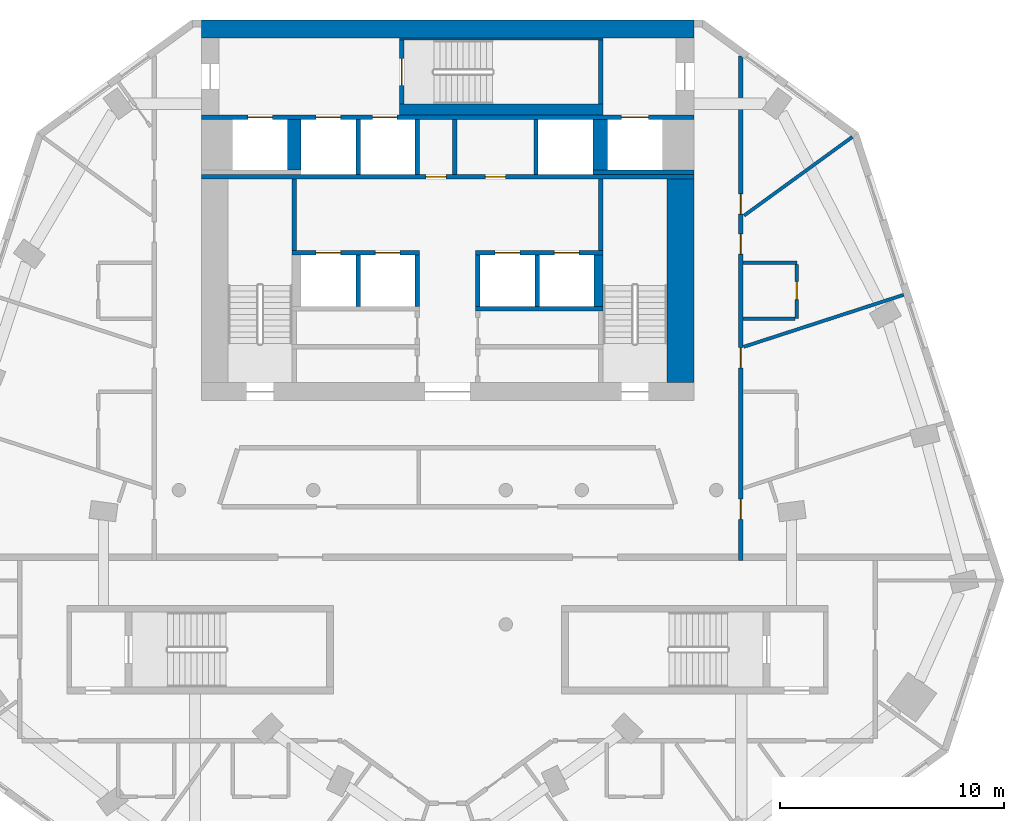
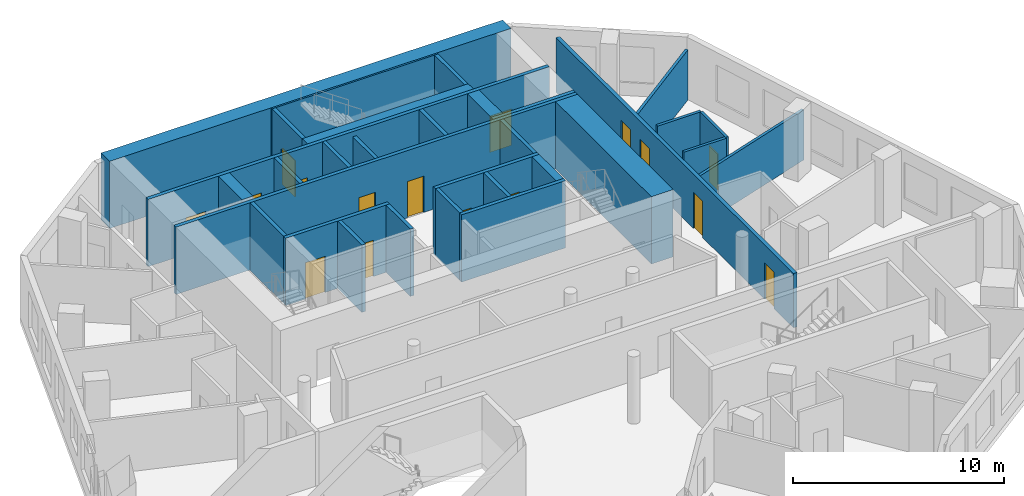
# One storey, part 6 of 9: 31 walls, 16 doors, 16 openings.
"""IFC4 building model written with IfcOpenShell, lengths in metres."""

from ifc_helpers import new_model, si_unit, direction, frame, frame_2d, origin, place, context, subcontext, project, spatial, rectangle, extrude, material, layer, layer_set, type_object, element, fill, save


model = new_model("IFC4")

# Units and contexts
model_context = context("Model", 3, precision=1e-05, world=origin(), true_north=direction((0.0, 1.0)))
body_context = subcontext(model_context, "Body", "Model", "MODEL_VIEW")
ifc_project = project(units=[si_unit("LENGTHUNIT", "METRE"), si_unit("AREAUNIT", "SQUARE_METRE"), si_unit("VOLUMEUNIT", "CUBIC_METRE"), si_unit("PLANEANGLEUNIT", "RADIAN"), si_unit("MASSUNIT", "GRAM", prefix="KILO")], contexts=[model_context])

# Site, building, storey
site_placement = place(None, origin())
site = spatial("IfcSite", under=ifc_project, at=site_placement, CompositionType="ELEMENT")
building_placement = place(site_placement, origin())
building = spatial("IfcBuilding", under=site, at=building_placement, Name="White Candle Pilgrim Tower", CompositionType="ELEMENT")
storey_placement = place(building_placement, frame((0.0, 0.0, 216.0)))
storey = spatial("IfcBuildingStorey", under=building, at=storey_placement, Name="L50", CompositionType="ELEMENT", Elevation=216.0)

# Wall
ifc_material_1 = material(Name="Concrete C50/60", Category="concrete")
ifc_layer_1 = layer(ifc_material_1, 0.199951171875)
ifc_layer_set_1 = layer_set([ifc_layer_1], Name="Core wall 200 mm Concrete C50/60")
wall_type_1 = type_object("IfcWallType", Name="Core wall 200 mm Concrete C50/60", PredefinedType="SHEAR", material=ifc_layer_set_1)
wall_1_placement = place(storey_placement, frame((76.5, 81.199951171875, 0.0), z_axis=(0.0, 0.0, 1.0), x_axis=(1.0, 0.0, 0.0)))
element("IfcWall", 1, at=wall_1_placement, inside=storey, type_object=wall_type_1, Name="WL-L50-C42", PredefinedType="SHEAR", context=body_context, shape_type="SweptSolid", body=[
    extrude(rectangle(XDim=4.5, YDim=0.199951171875, at=frame_2d((2.25, 0.0))), origin(), (0.0, 0.0, 1.0), 3.89990234375),
])

# Wall, openings, doors
wall_2_placement = place(storey_placement, frame((59.0, 83.64990234375, 0.0), z_axis=(0.0, 0.0, 1.0), x_axis=(1.0, 0.0, 0.0)))
wall_2 = element("IfcWall", 2, at=wall_2_placement, inside=storey, type_object=wall_type_1, Name="WL-L50-C47", PredefinedType="SHEAR", context=body_context, shape_type="SweptSolid", body=[
    extrude(rectangle(XDim=22.0, YDim=0.199951171875, at=frame_2d((11.0, 0.0))), origin(), (0.0, 0.0, 1.0), 3.89990234375),
])
opening_1_placement = place(wall_2_placement, frame((5.125, 0.0, 0.0)))
opening_1 = element("IfcOpeningElement", 3, at=opening_1_placement, cuts=wall_2, Name="Opening T15-019", PredefinedType="OPENING", context=body_context, shape_type="SweptSolid", body=[
    extrude(rectangle(XDim=1.10009765625, YDim=2.10009765625, at=frame_2d((0.550048828125, 1.050048828125))), frame((0.0, 0.10986328125, 0.0), z_axis=(0.0, -1.0, 0.0), x_axis=(1.0, 0.0, 0.0)), (0.0, 0.0, 1.0), 0.219970703125),
])
opening_2_placement = place(wall_2_placement, frame((7.64990234375, 0.0, 0.0)))
opening_2 = element("IfcOpeningElement", 4, at=opening_2_placement, cuts=wall_2, Name="Opening T15-020", PredefinedType="OPENING", context=body_context, shape_type="SweptSolid", body=[
    extrude(rectangle(XDim=1.10009765625, YDim=2.10009765625, at=frame_2d((0.550048828125, 1.050048828125))), frame((0.0, 0.10986328125, 0.0), z_axis=(0.0, -1.0, 0.0), x_axis=(1.0, 0.0, 0.0)), (0.0, 0.0, 1.0), 0.219970703125),
])
opening_3_placement = place(wall_2_placement, frame((18.77490234375, 0.0, 0.0)))
opening_3 = element("IfcOpeningElement", 5, at=opening_3_placement, cuts=wall_2, Name="Opening T15-021", PredefinedType="OPENING", context=body_context, shape_type="SweptSolid", body=[
    extrude(rectangle(XDim=1.199951171875, YDim=2.10009765625, at=frame_2d((0.60009765625, 1.050048828125))), frame((0.0, 0.10986328125, 0.0), z_axis=(0.0, -1.0, 0.0), x_axis=(1.0, 0.0, 0.0)), (0.0, 0.0, 1.0), 0.219970703125),
])
opening_4_placement = place(wall_2_placement, frame((2.074951171875, 0.0, 0.0)))
opening_4 = element("IfcOpeningElement", 6, at=opening_4_placement, cuts=wall_2, Name="Opening T15-022", PredefinedType="OPENING", context=body_context, shape_type="SweptSolid", body=[
    extrude(rectangle(XDim=1.10009765625, YDim=2.10009765625, at=frame_2d((0.550048828125, 1.050048828125))), frame((0.0, 0.10986328125, 0.0), z_axis=(0.0, -1.0, 0.0), x_axis=(1.0, 0.0, 0.0)), (0.0, 0.0, 1.0), 0.219970703125),
])
ifc_material_2 = material(Name="Stainless steel", Category="steel")
door_type_1 = type_object("IfcDoorType", Name="Lift landing door 1100 x 2100 EI 60", OperationType="DOUBLE_DOOR_SLIDING", PredefinedType="DOOR", material=ifc_material_2)
door_1_placement = place(opening_1_placement, origin())
door_1 = element("IfcDoor", 7, at=door_1_placement, inside=storey, type_object=door_type_1, Name="Door T15-019", OperationType="DOUBLE_DOOR_SLIDING", OverallHeight=2.10009765625, OverallWidth=1.10009765625, PredefinedType="DOOR", context=body_context, shape_type="SweptSolid", body=[
    extrude(rectangle(XDim=1.10009765625, YDim=2.10009765625, at=frame_2d((0.550048828125, 1.050048828125))), frame((0.0, 0.02490234375, 0.0), z_axis=(0.0, -1.0, 0.0), x_axis=(1.0, 0.0, 0.0)), (0.0, 0.0, 1.0), 0.050048828125),
])
fill(opening_1, door_1)
door_2_placement = place(opening_2_placement, origin())
door_2 = element("IfcDoor", 8, at=door_2_placement, inside=storey, type_object=door_type_1, Name="Door T15-020", OperationType="DOUBLE_DOOR_SLIDING", OverallHeight=2.10009765625, OverallWidth=1.10009765625, PredefinedType="DOOR", context=body_context, shape_type="SweptSolid", body=[
    extrude(rectangle(XDim=1.10009765625, YDim=2.10009765625, at=frame_2d((0.550048828125, 1.050048828125))), frame((0.0, 0.02490234375, 0.0), z_axis=(0.0, -1.0, 0.0), x_axis=(1.0, 0.0, 0.0)), (0.0, 0.0, 1.0), 0.050048828125),
])
fill(opening_2, door_2)
door_3_placement = place(opening_4_placement, origin())
door_3 = element("IfcDoor", 9, at=door_3_placement, inside=storey, type_object=door_type_1, Name="Door T15-022", OperationType="DOUBLE_DOOR_SLIDING", OverallHeight=2.10009765625, OverallWidth=1.10009765625, PredefinedType="DOOR", context=body_context, shape_type="SweptSolid", body=[
    extrude(rectangle(XDim=1.10009765625, YDim=2.10009765625, at=frame_2d((0.550048828125, 1.050048828125))), frame((0.0, 0.02490234375, 0.0), z_axis=(0.0, -1.0, 0.0), x_axis=(1.0, 0.0, 0.0)), (0.0, 0.0, 1.0), 0.050048828125),
])
fill(opening_4, door_3)
door_type_2 = type_object("IfcDoorType", Name="Lift landing door 1200 x 2100 E 60", OperationType="DOUBLE_DOOR_SLIDING", PredefinedType="DOOR", material=ifc_material_2)
door_4_placement = place(opening_3_placement, origin())
door_4 = element("IfcDoor", 10, at=door_4_placement, inside=storey, type_object=door_type_2, Name="Door T15-021", OperationType="DOUBLE_DOOR_SLIDING", OverallHeight=2.10009765625, OverallWidth=1.199951171875, PredefinedType="DOOR", context=body_context, shape_type="SweptSolid", body=[
    extrude(rectangle(XDim=1.199951171875, YDim=2.10009765625, at=frame_2d((0.60009765625, 1.050048828125))), frame((0.0, 0.02490234375, 0.0), z_axis=(0.0, -1.0, 0.0), x_axis=(1.0, 0.0, 0.0)), (0.0, 0.0, 1.0), 0.050048828125),
])
fill(opening_3, door_4)

# Wall
ifc_layer_2 = layer(ifc_material_1, 0.800048828125)
ifc_layer_set_2 = layer_set([ifc_layer_2], Name="Core wall 800 mm Concrete C50/60")
wall_type_2 = type_object("IfcWallType", Name="Core wall 800 mm Concrete C50/60", PredefinedType="SHEAR", material=ifc_layer_set_2)
wall_3_placement = place(storey_placement, frame((59.0, 87.60009765625, 0.0), z_axis=(0.0, 0.0, 1.0), x_axis=(1.0, 0.0, 0.0)))
element("IfcWall", 11, at=wall_3_placement, inside=storey, type_object=wall_type_2, Name="WL-L50-C54", PredefinedType="SHEAR", context=body_context, shape_type="SweptSolid", body=[
    extrude(rectangle(XDim=22.0, YDim=0.800048828125, at=frame_2d((11.0, 0.0))), origin(), (0.0, 0.0, 1.0), 3.89990234375),
])

# Wall, openings, doors
ifc_material_3 = material(Name="Gypsum board on steel studs", Category="steel")
ifc_layer_3 = layer(ifc_material_3, 0.199951171875)
ifc_layer_set_3 = layer_set([ifc_layer_3], Name="Corridor wall 200 mm EI 45")
wall_type_3 = type_object("IfcWallType", Name="Corridor wall 200 mm EI 45", PredefinedType="PARTITIONING", material=ifc_layer_set_3)
wall_4_placement = place(storey_placement, frame((83.10009765625, 86.396240234375, 0.0), z_axis=(0.0, 0.0, 1.0), x_axis=(0.0, -1.0, 0.0)))
wall_4 = element("IfcWall", 12, at=wall_4_placement, inside=storey, type_object=wall_type_3, Name="WL-L50-P003", PredefinedType="PARTITIONING", context=body_context, shape_type="SweptSolid", body=[
    extrude(rectangle(XDim=22.546142578125, YDim=0.199951171875, at=frame_2d((11.27294921875, 0.0))), origin(), (0.0, 0.0, 1.0), 3.14990234375),
])
opening_5_placement = place(wall_4_placement, frame((6.163818359375, 0.0, 0.0)))
opening_5 = element("IfcOpeningElement", 13, at=opening_5_placement, cuts=wall_4, Name="Opening T15-128", PredefinedType="OPENING", context=body_context, shape_type="SweptSolid", body=[
    extrude(rectangle(XDim=0.89990234375, YDim=2.10009765625, at=frame_2d((0.449951171875, 1.050048828125))), frame((0.0, 0.10986328125, 0.0), z_axis=(0.0, -1.0, 0.0), x_axis=(1.0, 0.0, 0.0)), (0.0, 0.0, 1.0), 0.219970703125),
])
opening_6_placement = place(wall_4_placement, frame((7.95947265625, 0.0, 0.0)))
opening_6 = element("IfcOpeningElement", 14, at=opening_6_placement, cuts=wall_4, Name="Opening T15-129", PredefinedType="OPENING", context=body_context, shape_type="SweptSolid", body=[
    extrude(rectangle(XDim=0.89990234375, YDim=2.10009765625, at=frame_2d((0.449951171875, 1.050048828125))), frame((0.0, 0.10986328125, 0.0), z_axis=(0.0, -1.0, 0.0), x_axis=(1.0, 0.0, 0.0)), (0.0, 0.0, 1.0), 0.219970703125),
])
opening_7_placement = place(wall_4_placement, frame((13.034423828125, 0.0, 0.0)))
opening_7 = element("IfcOpeningElement", 15, at=opening_7_placement, cuts=wall_4, Name="Opening T15-130", PredefinedType="OPENING", context=body_context, shape_type="SweptSolid", body=[
    extrude(rectangle(XDim=0.89990234375, YDim=2.10009765625, at=frame_2d((0.449951171875, 1.050048828125))), frame((0.0, 0.10986328125, 0.0), z_axis=(0.0, -1.0, 0.0), x_axis=(1.0, 0.0, 0.0)), (0.0, 0.0, 1.0), 0.219970703125),
])
opening_8_placement = place(wall_4_placement, frame((19.80126953125, 0.0, 0.0)))
opening_8 = element("IfcOpeningElement", 16, at=opening_8_placement, cuts=wall_4, Name="Opening T15-131", PredefinedType="OPENING", context=body_context, shape_type="SweptSolid", body=[
    extrude(rectangle(XDim=0.89990234375, YDim=2.10009765625, at=frame_2d((0.449951171875, 1.050048828125))), frame((0.0, 0.10986328125, 0.0), z_axis=(0.0, -1.0, 0.0), x_axis=(1.0, 0.0, 0.0)), (0.0, 0.0, 1.0), 0.219970703125),
])
ifc_material_4 = material(Name="Steel door leaf", Category="steel")
door_type_3 = type_object("IfcDoorType", Name="Fire door 900 x 2100 EI 30", OperationType="NOTDEFINED", PredefinedType="DOOR", material=ifc_material_4)
door_5_placement = place(opening_5_placement, origin())
door_5 = element("IfcDoor", 17, at=door_5_placement, inside=storey, type_object=door_type_3, Name="Door T15-128", OperationType="SINGLE_SWING_RIGHT", OverallHeight=2.10009765625, OverallWidth=0.89990234375, PredefinedType="DOOR", context=body_context, shape_type="SweptSolid", body=[
    extrude(rectangle(XDim=0.89990234375, YDim=2.10009765625, at=frame_2d((0.449951171875, 1.050048828125))), frame((0.0, 0.02490234375, 0.0), z_axis=(0.0, -1.0, 0.0), x_axis=(1.0, 0.0, 0.0)), (0.0, 0.0, 1.0), 0.050048828125),
])
fill(opening_5, door_5)
door_6_placement = place(opening_6_placement, origin())
door_6 = element("IfcDoor", 18, at=door_6_placement, inside=storey, type_object=door_type_3, Name="Door T15-129", OperationType="SINGLE_SWING_LEFT", OverallHeight=2.10009765625, OverallWidth=0.89990234375, PredefinedType="DOOR", context=body_context, shape_type="SweptSolid", body=[
    extrude(rectangle(XDim=0.89990234375, YDim=2.10009765625, at=frame_2d((0.449951171875, 1.050048828125))), frame((0.0, 0.02490234375, 0.0), z_axis=(0.0, -1.0, 0.0), x_axis=(1.0, 0.0, 0.0)), (0.0, 0.0, 1.0), 0.050048828125),
])
fill(opening_6, door_6)
door_7_placement = place(opening_7_placement, origin())
door_7 = element("IfcDoor", 19, at=door_7_placement, inside=storey, type_object=door_type_3, Name="Door T15-130", OperationType="SINGLE_SWING_RIGHT", OverallHeight=2.10009765625, OverallWidth=0.89990234375, PredefinedType="DOOR", context=body_context, shape_type="SweptSolid", body=[
    extrude(rectangle(XDim=0.89990234375, YDim=2.10009765625, at=frame_2d((0.449951171875, 1.050048828125))), frame((0.0, 0.02490234375, 0.0), z_axis=(0.0, -1.0, 0.0), x_axis=(1.0, 0.0, 0.0)), (0.0, 0.0, 1.0), 0.050048828125),
])
fill(opening_7, door_7)
door_8_placement = place(opening_8_placement, origin())
door_8 = element("IfcDoor", 20, at=door_8_placement, inside=storey, type_object=door_type_3, Name="Door T15-131", OperationType="SINGLE_SWING_LEFT", OverallHeight=2.10009765625, OverallWidth=0.89990234375, PredefinedType="DOOR", context=body_context, shape_type="SweptSolid", body=[
    extrude(rectangle(XDim=0.89990234375, YDim=2.10009765625, at=frame_2d((0.449951171875, 1.050048828125))), frame((0.0, 0.02490234375, 0.0), z_axis=(0.0, -1.0, 0.0), x_axis=(1.0, 0.0, 0.0)), (0.0, 0.0, 1.0), 0.050048828125),
])
fill(opening_8, door_8)

# Walls
ifc_layer_4 = layer(ifc_material_3, 0.199951171875)
ifc_layer_set_4 = layer_set([ifc_layer_4], Name="Lobby wall 200 mm EI 60")
wall_type_4 = type_object("IfcWallType", Name="Lobby wall 200 mm EI 60", PredefinedType="PARTITIONING", material=ifc_layer_set_4)
wall_5_placement = place(storey_placement, frame((70.320068359375, 81.10009765625, 0.0), z_axis=(0.0, 0.0, 1.0), x_axis=(0.0, 1.0, 0.0)))
element("IfcWall", 21, at=wall_5_placement, inside=storey, type_object=wall_type_4, Name="WL-L50-C40", PredefinedType="PARTITIONING", context=body_context, shape_type="SweptSolid", body=[
    extrude(rectangle(XDim=2.449951171875, YDim=0.199951171875, at=frame_2d((1.22509765625, 0.0))), origin(), (0.0, 0.0, 1.0), 3.60009765625),
])
ifc_layer_5 = layer(ifc_material_3, 0.14990234375)
ifc_layer_set_5 = layer_set([ifc_layer_5], Name="Partition 150 mm EI 60")
wall_type_5 = type_object("IfcWallType", Name="Partition 150 mm EI 60", PredefinedType="PARTITIONING", material=ifc_layer_set_5)
wall_6_placement = place(storey_placement, frame((88.08154296875, 82.77685546875, 0.0), z_axis=(0.0, 0.0, 1.0), x_axis=(-0.809011434577, -0.587792904622, 0.0)))
element("IfcWall", 22, at=wall_6_placement, inside=storey, type_object=wall_type_5, Name="WL-L50-P022", PredefinedType="PARTITIONING", context=body_context, shape_type="SweptSolid", body=[
    extrude(rectangle(XDim=5.9794921875, YDim=0.14990234375, at=frame_2d((2.98974609375, 0.0))), origin(), (0.0, 0.0, 1.0), 2.89990234375),
])
wall_7_placement = place(storey_placement, frame((90.37353515625, 75.723388671875, 0.0), z_axis=(0.0, 0.0, 1.0), x_axis=(-0.951049340024, -0.309039079794, 0.0)))
element("IfcWall", 23, at=wall_7_placement, inside=storey, type_object=wall_type_5, Name="WL-L50-P048", PredefinedType="PARTITIONING", context=body_context, shape_type="SweptSolid", body=[
    extrude(rectangle(XDim=7.518310546875, YDim=0.14990234375, at=frame_2d((3.75927734375, 0.0))), origin(), (0.0, 0.0, 1.0), 2.89990234375),
])
wall_8_placement = place(storey_placement, frame((83.199951171875, 77.159912109375, 0.0), z_axis=(0.0, 0.0, 1.0), x_axis=(1.0, 0.0, 0.0)))
element("IfcWall", 24, at=wall_8_placement, inside=storey, type_object=wall_type_5, Name="WL-L50-P051", PredefinedType="PARTITIONING", context=body_context, shape_type="SweptSolid", body=[
    extrude(rectangle(XDim=2.400146484375, YDim=0.14990234375, at=frame_2d((1.2001953125, 0.0))), origin(), (0.0, 0.0, 1.0), 3.60009765625),
])

# Wall, opening, door
wall_9_placement = place(storey_placement, frame((85.60009765625, 74.659912109375, 0.0), z_axis=(0.0, 0.0, 1.0), x_axis=(0.0, 1.0, 0.0)))
wall_9 = element("IfcWall", 25, at=wall_9_placement, inside=storey, type_object=wall_type_5, Name="WL-L50-P052", PredefinedType="PARTITIONING", context=body_context, shape_type="SweptSolid", body=[
    extrude(rectangle(XDim=2.425048828125, YDim=0.14990234375, at=frame_2d((1.21240234375, 0.0))), origin(), (0.0, 0.0, 1.0), 3.60009765625),
])
opening_9_placement = place(wall_9_placement, frame((0.85009765625, 0.0, 0.0)))
opening_9 = element("IfcOpeningElement", 26, at=opening_9_placement, cuts=wall_9, Name="Opening T15-118", PredefinedType="OPENING", context=body_context, shape_type="SweptSolid", body=[
    extrude(rectangle(XDim=0.800048828125, YDim=2.10009765625, at=frame_2d((0.39990234375, 1.050048828125))), frame((0.0, 0.0849609375, 0.0), z_axis=(0.0, -1.0, 0.0), x_axis=(1.0, 0.0, 0.0)), (0.0, 0.0, 1.0), 0.169921875),
])
door_type_4 = type_object("IfcDoorType", Name="Fire door 800 x 2100 EI 30", OperationType="NOTDEFINED", PredefinedType="DOOR", material=ifc_material_4)
door_9_placement = place(opening_9_placement, frame((0.800048828125, 0.0, 0.0), z_axis=(0.0, 0.0, 1.0), x_axis=(-1.0, 0.0, 0.0)))
door_9 = element("IfcDoor", 27, at=door_9_placement, inside=storey, type_object=door_type_4, Name="Door T15-118", OperationType="SINGLE_SWING_LEFT", OverallHeight=2.10009765625, OverallWidth=0.800048828125, PredefinedType="DOOR", context=body_context, shape_type="SweptSolid", body=[
    extrude(rectangle(XDim=0.800048828125, YDim=2.10009765625, at=frame_2d((0.39990234375, 1.050048828125))), frame((0.0, 0.02490234375, 0.0), z_axis=(0.0, -1.0, 0.0), x_axis=(1.0, 0.0, 0.0)), (0.0, 0.0, 1.0), 0.050048828125),
])
fill(opening_9, door_9)

# Walls
wall_10_placement = place(storey_placement, frame((83.199951171875, 74.659912109375, 0.0), z_axis=(0.0, 0.0, 1.0), x_axis=(1.0, 0.0, 0.0)))
element("IfcWall", 28, at=wall_10_placement, inside=storey, type_object=wall_type_5, Name="WL-L50-P053", PredefinedType="PARTITIONING", context=body_context, shape_type="SweptSolid", body=[
    extrude(rectangle(XDim=2.324951171875, YDim=0.14990234375, at=frame_2d((1.16259765625, 0.0))), origin(), (0.0, 0.0, 1.0), 3.60009765625),
])
ifc_layer_6 = layer(ifc_material_1, 0.199951171875)
ifc_layer_set_6 = layer_set([ifc_layer_6], Name="Shaft wall 200 mm Concrete C50/60")
wall_type_6 = type_object("IfcWallType", Name="Shaft wall 200 mm Concrete C50/60", PredefinedType="SHEAR", material=ifc_layer_set_6)
for number, where, z_axis, x_axis, name in (
    (29, (66.0, 75.199951171875, 0.0), (0.0, 0.0, 1.0), (0.0, 1.0, 0.0), "WL-L50-C27"),
    (30, (68.64990234375, 75.199951171875, 0.0), (0.0, 0.0, 1.0), (0.0, 1.0, 0.0), "WL-L50-C28"),
    (31, (71.35009765625, 75.199951171875, 0.0), (0.0, 0.0, 1.0), (0.0, 1.0, 0.0), "WL-L50-C29"),
    (32, (74.0, 75.199951171875, 0.0), (0.0, 0.0, 1.0), (0.0, 1.0, 0.0), "WL-L50-C30"),
):
    element("IfcWall", number, at=place(storey_placement, frame(where, z_axis=z_axis, x_axis=x_axis)), inside=storey, type_object=wall_type_6, Name=name, PredefinedType="SHEAR", context=body_context, shape_type="SweptSolid", body=[
        extrude(rectangle(XDim=2.300048828125, YDim=0.199951171875, at=frame_2d((1.14990234375, 0.0))), origin(), (0.0, 0.0, 1.0), 3.89990234375),
    ])
for number, where, z_axis, x_axis, name in (
    (33, (66.0, 81.10009765625, 0.0), (0.0, 0.0, 1.0), (0.0, 1.0, 0.0), "WL-L50-C38"),
    (34, (68.64990234375, 81.10009765625, 0.0), (0.0, 0.0, 1.0), (0.0, 1.0, 0.0), "WL-L50-C39"),
    (35, (73.949951171875, 81.10009765625, 0.0), (0.0, 0.0, 1.0), (0.0, 1.0, 0.0), "WL-L50-C41"),
):
    element("IfcWall", number, at=place(storey_placement, frame(where, z_axis=z_axis, x_axis=x_axis)), inside=storey, type_object=wall_type_6, Name=name, PredefinedType="SHEAR", context=body_context, shape_type="SweptSolid", body=[
        extrude(rectangle(XDim=2.449951171875, YDim=0.199951171875, at=frame_2d((1.22509765625, 0.0))), origin(), (0.0, 0.0, 1.0), 3.89990234375),
    ])
ifc_layer_7 = layer(ifc_material_1, 0.60009765625)
ifc_layer_set_7 = layer_set([ifc_layer_7], Name="Shaft wall 600 mm Concrete C50/60")
wall_type_7 = type_object("IfcWallType", Name="Shaft wall 600 mm Concrete C50/60", PredefinedType="SHEAR", material=ifc_layer_set_7)
wall_11_placement = place(storey_placement, frame((63.14990234375, 81.300048828125, 0.0), z_axis=(0.0, 0.0, 1.0), x_axis=(0.0, 1.0, 0.0)))
element("IfcWall", 36, at=wall_11_placement, inside=storey, type_object=wall_type_7, Name="WL-L50-C44", PredefinedType="SHEAR", context=body_context, shape_type="SweptSolid", body=[
    extrude(rectangle(XDim=2.25, YDim=0.60009765625, at=frame_2d((1.125, 0.0))), origin(), (0.0, 0.0, 1.0), 3.89990234375),
])
ifc_layer_8 = layer(ifc_material_1, 0.64990234375)
ifc_layer_set_8 = layer_set([ifc_layer_8], Name="Shaft wall 650 mm Concrete C50/60")
wall_type_8 = type_object("IfcWallType", Name="Shaft wall 650 mm Concrete C50/60", PredefinedType="SHEAR", material=ifc_layer_set_8)
wall_12_placement = place(storey_placement, frame((76.824951171875, 81.300048828125, 0.0), z_axis=(0.0, 0.0, 1.0), x_axis=(0.0, 1.0, 0.0)))
element("IfcWall", 37, at=wall_12_placement, inside=storey, type_object=wall_type_8, Name="WL-L50-C45", PredefinedType="SHEAR", context=body_context, shape_type="SweptSolid", body=[
    extrude(rectangle(XDim=2.25, YDim=0.64990234375, at=frame_2d((1.125, 0.0))), origin(), (0.0, 0.0, 1.0), 3.89990234375),
])
ifc_layer_9 = layer(ifc_material_1, 0.10009765625)
ifc_layer_set_9 = layer_set([ifc_layer_9], Name="Stair shaft wall 100 mm Concrete C50/60")
wall_type_9 = type_object("IfcWallType", Name="Stair shaft wall 100 mm Concrete C50/60", PredefinedType="SHEAR", material=ifc_layer_set_9)
wall_13_placement = place(storey_placement, frame((67.85009765625, 87.14990234375, 0.0), z_axis=(0.0, 0.0, 1.0), x_axis=(1.0, 0.0, 0.0)))
element("IfcWall", 38, at=wall_13_placement, inside=storey, type_object=wall_type_9, Name="WL-L50-C53", PredefinedType="SHEAR", context=body_context, shape_type="SweptSolid", body=[
    extrude(rectangle(XDim=9.099853515625, YDim=0.10009765625, at=frame_2d((4.5498046875, 0.0))), origin(), (0.0, 0.0, 1.0), 3.89990234375),
])
ifc_layer_10 = layer(ifc_material_1, 1.199951171875)
ifc_layer_set_10 = layer_set([ifc_layer_10], Name="Stair shaft wall 1200 mm Concrete C50/60")
wall_type_10 = type_object("IfcWallType", Name="Stair shaft wall 1200 mm Concrete C50/60", PredefinedType="SHEAR", material=ifc_layer_set_10)
wall_14_placement = place(storey_placement, frame((80.39990234375, 71.800048828125, 0.0), z_axis=(0.0, 0.0, 1.0), x_axis=(0.0, 1.0, 0.0)))
element("IfcWall", 39, at=wall_14_placement, inside=storey, type_object=wall_type_10, Name="WL-L50-C17", PredefinedType="SHEAR", context=body_context, shape_type="SweptSolid", body=[
    extrude(rectangle(XDim=9.099853515625, YDim=1.199951171875, at=frame_2d((4.5498046875, 0.0))), origin(), (0.0, 0.0, 1.0), 3.89990234375),
])
ifc_layer_11 = layer(ifc_material_1, 0.199951171875)
ifc_layer_set_11 = layer_set([ifc_layer_11], Name="Stair shaft wall 200 mm Concrete C50/60")
wall_type_11 = type_object("IfcWallType", Name="Stair shaft wall 200 mm Concrete C50/60", PredefinedType="SHEAR", material=ifc_layer_set_11)
wall_15_placement = place(storey_placement, frame((71.25, 75.10009765625, 0.0), z_axis=(0.0, 0.0, 1.0), x_axis=(1.0, 0.0, 0.0)))
element("IfcWall", 40, at=wall_15_placement, inside=storey, type_object=wall_type_11, Name="WL-L50-C25", PredefinedType="SHEAR", context=body_context, shape_type="SweptSolid", body=[
    extrude(rectangle(XDim=5.699951171875, YDim=0.199951171875, at=frame_2d((2.85009765625, 0.0))), origin(), (0.0, 0.0, 1.0), 3.89990234375),
])

# Wall, openings, doors
wall_16_placement = place(storey_placement, frame((63.050048828125, 77.60009765625, 0.0), z_axis=(0.0, 0.0, 1.0), x_axis=(1.0, 0.0, 0.0)))
wall_16 = element("IfcWall", 41, at=wall_16_placement, inside=storey, type_object=wall_type_11, Name="WL-L50-C32", PredefinedType="SHEAR", context=body_context, shape_type="SweptSolid", body=[
    extrude(rectangle(XDim=5.699951171875, YDim=0.199951171875, at=frame_2d((2.85009765625, 0.0))), origin(), (0.0, 0.0, 1.0), 3.89990234375),
])
opening_10_placement = place(wall_16_placement, frame((1.074951171875, 0.0, 0.0)))
opening_10 = element("IfcOpeningElement", 42, at=opening_10_placement, cuts=wall_16, Name="Opening T15-015", PredefinedType="OPENING", context=body_context, shape_type="SweptSolid", body=[
    extrude(rectangle(XDim=1.10009765625, YDim=2.10009765625, at=frame_2d((0.550048828125, 1.050048828125))), frame((0.0, 0.10986328125, 0.0), z_axis=(0.0, -1.0, 0.0), x_axis=(1.0, 0.0, 0.0)), (0.0, 0.0, 1.0), 0.219970703125),
])
opening_11_placement = place(wall_16_placement, frame((3.72509765625, 0.0, 0.0)))
opening_11 = element("IfcOpeningElement", 43, at=opening_11_placement, cuts=wall_16, Name="Opening T15-016", PredefinedType="OPENING", context=body_context, shape_type="SweptSolid", body=[
    extrude(rectangle(XDim=1.10009765625, YDim=2.10009765625, at=frame_2d((0.550048828125, 1.050048828125))), frame((0.0, 0.10986328125, 0.0), z_axis=(0.0, -1.0, 0.0), x_axis=(1.0, 0.0, 0.0)), (0.0, 0.0, 1.0), 0.219970703125),
])
door_type_5 = type_object("IfcDoorType", Name="Lift landing door 1100 x 2100 E 60", OperationType="DOUBLE_DOOR_SLIDING", PredefinedType="DOOR", material=ifc_material_2)
door_10_placement = place(opening_10_placement, origin())
door_10 = element("IfcDoor", 44, at=door_10_placement, inside=storey, type_object=door_type_5, Name="Door T15-015", OperationType="DOUBLE_DOOR_SLIDING", OverallHeight=2.10009765625, OverallWidth=1.10009765625, PredefinedType="DOOR", context=body_context, shape_type="SweptSolid", body=[
    extrude(rectangle(XDim=1.10009765625, YDim=2.10009765625, at=frame_2d((0.550048828125, 1.050048828125))), frame((0.0, 0.02490234375, 0.0), z_axis=(0.0, -1.0, 0.0), x_axis=(1.0, 0.0, 0.0)), (0.0, 0.0, 1.0), 0.050048828125),
])
fill(opening_10, door_10)
door_11_placement = place(opening_11_placement, origin())
door_11 = element("IfcDoor", 45, at=door_11_placement, inside=storey, type_object=door_type_5, Name="Door T15-016", OperationType="DOUBLE_DOOR_SLIDING", OverallHeight=2.10009765625, OverallWidth=1.10009765625, PredefinedType="DOOR", context=body_context, shape_type="SweptSolid", body=[
    extrude(rectangle(XDim=1.10009765625, YDim=2.10009765625, at=frame_2d((0.550048828125, 1.050048828125))), frame((0.0, 0.02490234375, 0.0), z_axis=(0.0, -1.0, 0.0), x_axis=(1.0, 0.0, 0.0)), (0.0, 0.0, 1.0), 0.050048828125),
])
fill(opening_11, door_11)

wall_17_placement = place(storey_placement, frame((71.25, 77.60009765625, 0.0), z_axis=(0.0, 0.0, 1.0), x_axis=(1.0, 0.0, 0.0)))
wall_17 = element("IfcWall", 46, at=wall_17_placement, inside=storey, type_object=wall_type_11, Name="WL-L50-C33", PredefinedType="SHEAR", context=body_context, shape_type="SweptSolid", body=[
    extrude(rectangle(XDim=5.699951171875, YDim=0.199951171875, at=frame_2d((2.85009765625, 0.0))), origin(), (0.0, 0.0, 1.0), 3.89990234375),
])
opening_12_placement = place(wall_17_placement, frame((0.875, 0.0, 0.0)))
opening_12 = element("IfcOpeningElement", 47, at=opening_12_placement, cuts=wall_17, Name="Opening T15-017", PredefinedType="OPENING", context=body_context, shape_type="SweptSolid", body=[
    extrude(rectangle(XDim=1.10009765625, YDim=2.10009765625, at=frame_2d((0.550048828125, 1.050048828125))), frame((0.0, 0.10986328125, 0.0), z_axis=(0.0, -1.0, 0.0), x_axis=(1.0, 0.0, 0.0)), (0.0, 0.0, 1.0), 0.219970703125),
])
opening_13_placement = place(wall_17_placement, frame((3.52490234375, 0.0, 0.0)))
opening_13 = element("IfcOpeningElement", 48, at=opening_13_placement, cuts=wall_17, Name="Opening T15-018", PredefinedType="OPENING", context=body_context, shape_type="SweptSolid", body=[
    extrude(rectangle(XDim=1.10009765625, YDim=2.10009765625, at=frame_2d((0.550048828125, 1.050048828125))), frame((0.0, 0.10986328125, 0.0), z_axis=(0.0, -1.0, 0.0), x_axis=(1.0, 0.0, 0.0)), (0.0, 0.0, 1.0), 0.219970703125),
])
door_12_placement = place(opening_12_placement, origin())
door_12 = element("IfcDoor", 49, at=door_12_placement, inside=storey, type_object=door_type_5, Name="Door T15-017", OperationType="DOUBLE_DOOR_SLIDING", OverallHeight=2.10009765625, OverallWidth=1.10009765625, PredefinedType="DOOR", context=body_context, shape_type="SweptSolid", body=[
    extrude(rectangle(XDim=1.10009765625, YDim=2.10009765625, at=frame_2d((0.550048828125, 1.050048828125))), frame((0.0, 0.02490234375, 0.0), z_axis=(0.0, -1.0, 0.0), x_axis=(1.0, 0.0, 0.0)), (0.0, 0.0, 1.0), 0.050048828125),
])
fill(opening_12, door_12)
door_13_placement = place(opening_13_placement, origin())
door_13 = element("IfcDoor", 50, at=door_13_placement, inside=storey, type_object=door_type_5, Name="Door T15-018", OperationType="DOUBLE_DOOR_SLIDING", OverallHeight=2.10009765625, OverallWidth=1.10009765625, PredefinedType="DOOR", context=body_context, shape_type="SweptSolid", body=[
    extrude(rectangle(XDim=1.10009765625, YDim=2.10009765625, at=frame_2d((0.550048828125, 1.050048828125))), frame((0.0, 0.02490234375, 0.0), z_axis=(0.0, -1.0, 0.0), x_axis=(1.0, 0.0, 0.0)), (0.0, 0.0, 1.0), 0.050048828125),
])
fill(opening_13, door_13)

# Walls
for number, where, z_axis, x_axis, name in (
    (51, (63.14990234375, 77.699951171875, 0.0), (0.0, 0.0, 1.0), (0.0, 1.0, 0.0), "WL-L50-C34"),
    (52, (76.85009765625, 77.699951171875, 0.0), (0.0, 0.0, 1.0), (0.0, 1.0, 0.0), "WL-L50-C35"),
):
    element("IfcWall", number, at=place(storey_placement, frame(where, z_axis=z_axis, x_axis=x_axis)), inside=storey, type_object=wall_type_11, Name=name, PredefinedType="SHEAR", context=body_context, shape_type="SweptSolid", body=[
        extrude(rectangle(XDim=3.199951171875, YDim=0.199951171875, at=frame_2d((1.60009765625, 0.0))), origin(), (0.0, 0.0, 1.0), 3.89990234375),
    ])

# Wall, openings, doors
wall_18_placement = place(storey_placement, frame((59.0, 81.0, 0.0), z_axis=(0.0, 0.0, 1.0), x_axis=(1.0, 0.0, 0.0)))
wall_18 = element("IfcWall", 53, at=wall_18_placement, inside=storey, type_object=wall_type_11, Name="WL-L50-C36", PredefinedType="SHEAR", context=body_context, shape_type="SweptSolid", body=[
    extrude(rectangle(XDim=22.0, YDim=0.199951171875, at=frame_2d((11.0, 0.0))), origin(), (0.0, 0.0, 1.0), 3.89990234375),
])
opening_14_placement = place(wall_18_placement, frame((10.034912109375, 0.0, 0.0)))
opening_14 = element("IfcOpeningElement", 54, at=opening_14_placement, cuts=wall_18, Name="Opening T15-023", PredefinedType="OPENING", context=body_context, shape_type="SweptSolid", body=[
    extrude(rectangle(XDim=0.89990234375, YDim=2.10009765625, at=frame_2d((0.449951171875, 1.050048828125))), frame((0.0, 0.10986328125, 0.0), z_axis=(0.0, -1.0, 0.0), x_axis=(1.0, 0.0, 0.0)), (0.0, 0.0, 1.0), 0.219970703125),
])
opening_15_placement = place(wall_18_placement, frame((12.68505859375, 0.0, 0.0)))
opening_15 = element("IfcOpeningElement", 55, at=opening_15_placement, cuts=wall_18, Name="Opening T15-024", PredefinedType="OPENING", context=body_context, shape_type="SweptSolid", body=[
    extrude(rectangle(XDim=0.89990234375, YDim=2.10009765625, at=frame_2d((0.449951171875, 1.050048828125))), frame((0.0, 0.10986328125, 0.0), z_axis=(0.0, -1.0, 0.0), x_axis=(1.0, 0.0, 0.0)), (0.0, 0.0, 1.0), 0.219970703125),
])
door_14_placement = place(opening_14_placement, origin())
door_14 = element("IfcDoor", 56, at=door_14_placement, inside=storey, type_object=door_type_3, Name="Door T15-023", OperationType="SINGLE_SWING_LEFT", OverallHeight=2.10009765625, OverallWidth=0.89990234375, PredefinedType="DOOR", context=body_context, shape_type="SweptSolid", body=[
    extrude(rectangle(XDim=0.89990234375, YDim=2.10009765625, at=frame_2d((0.449951171875, 1.050048828125))), frame((0.0, 0.02490234375, 0.0), z_axis=(0.0, -1.0, 0.0), x_axis=(1.0, 0.0, 0.0)), (0.0, 0.0, 1.0), 0.050048828125),
])
fill(opening_14, door_14)
door_15_placement = place(opening_15_placement, origin())
door_15 = element("IfcDoor", 57, at=door_15_placement, inside=storey, type_object=door_type_3, Name="Door T15-024", OperationType="SINGLE_SWING_RIGHT", OverallHeight=2.10009765625, OverallWidth=0.89990234375, PredefinedType="DOOR", context=body_context, shape_type="SweptSolid", body=[
    extrude(rectangle(XDim=0.89990234375, YDim=2.10009765625, at=frame_2d((0.449951171875, 1.050048828125))), frame((0.0, 0.02490234375, 0.0), z_axis=(0.0, -1.0, 0.0), x_axis=(1.0, 0.0, 0.0)), (0.0, 0.0, 1.0), 0.050048828125),
])
fill(opening_15, door_15)

# Wall, opening, door
wall_19_placement = place(storey_placement, frame((67.949951171875, 84.25, 0.0), z_axis=(0.0, 0.0, 1.0), x_axis=(0.0, 1.0, 0.0)))
wall_19 = element("IfcWall", 58, at=wall_19_placement, inside=storey, type_object=wall_type_11, Name="WL-L50-C51", PredefinedType="SHEAR", context=body_context, shape_type="SweptSolid", body=[
    extrude(rectangle(XDim=2.85009765625, YDim=0.199951171875, at=frame_2d((1.425048828125, 0.0))), origin(), (0.0, 0.0, 1.0), 3.89990234375),
])
opening_16_placement = place(wall_19_placement, frame((0.824951171875, 0.0, 0.0)))
opening_16 = element("IfcOpeningElement", 59, at=opening_16_placement, cuts=wall_19, Name="Opening T15-003", PredefinedType="OPENING", context=body_context, shape_type="SweptSolid", body=[
    extrude(rectangle(XDim=1.199951171875, YDim=2.10009765625, at=frame_2d((0.60009765625, 1.050048828125))), frame((0.0, 0.10986328125, 0.0), z_axis=(0.0, -1.0, 0.0), x_axis=(1.0, 0.0, 0.0)), (0.0, 0.0, 1.0), 0.219970703125),
])
door_type_6 = type_object("IfcDoorType", Name="Fire door 1200 x 2100 EI 60", OperationType="NOTDEFINED", PredefinedType="DOOR", material=ifc_material_4)
door_16_placement = place(opening_16_placement, frame((1.199951171875, 0.0, 0.0), z_axis=(0.0, 0.0, 1.0), x_axis=(-1.0, 0.0, 0.0)))
door_16 = element("IfcDoor", 60, at=door_16_placement, inside=storey, type_object=door_type_6, Name="Door T15-003", OperationType="SINGLE_SWING_RIGHT", OverallHeight=2.10009765625, OverallWidth=1.199951171875, PredefinedType="DOOR", context=body_context, shape_type="SweptSolid", body=[
    extrude(rectangle(XDim=1.199951171875, YDim=2.10009765625, at=frame_2d((0.60009765625, 1.050048828125))), frame((0.0, 0.02490234375, 0.0), z_axis=(0.0, -1.0, 0.0), x_axis=(1.0, 0.0, 0.0)), (0.0, 0.0, 1.0), 0.050048828125),
])
fill(opening_16, door_16)

# Walls
wall_20_placement = place(storey_placement, frame((76.85009765625, 84.25, 0.0), z_axis=(0.0, 0.0, 1.0), x_axis=(0.0, 1.0, 0.0)))
element("IfcWall", 61, at=wall_20_placement, inside=storey, type_object=wall_type_11, Name="WL-L50-C52", PredefinedType="SHEAR", context=body_context, shape_type="SweptSolid", body=[
    extrude(rectangle(XDim=2.85009765625, YDim=0.199951171875, at=frame_2d((1.425048828125, 0.0))), origin(), (0.0, 0.0, 1.0), 3.89990234375),
])
ifc_layer_12 = layer(ifc_material_1, 0.39990234375)
ifc_layer_set_12 = layer_set([ifc_layer_12], Name="Stair shaft wall 400 mm Concrete C50/60")
wall_type_12 = type_object("IfcWallType", Name="Stair shaft wall 400 mm Concrete C50/60", PredefinedType="SHEAR", material=ifc_layer_set_12)
wall_21_placement = place(storey_placement, frame((76.75, 75.199951171875, 0.0), z_axis=(0.0, 0.0, 1.0), x_axis=(0.0, 1.0, 0.0)))
element("IfcWall", 62, at=wall_21_placement, inside=storey, type_object=wall_type_12, Name="WL-L50-C31", PredefinedType="SHEAR", context=body_context, shape_type="SweptSolid", body=[
    extrude(rectangle(XDim=2.300048828125, YDim=0.39990234375, at=frame_2d((1.14990234375, 0.0))), origin(), (0.0, 0.0, 1.0), 3.89990234375),
])
ifc_layer_13 = layer(ifc_material_1, 0.5)
ifc_layer_set_13 = layer_set([ifc_layer_13], Name="Stair shaft wall 500 mm Concrete C50/60")
wall_type_13 = type_object("IfcWallType", Name="Stair shaft wall 500 mm Concrete C50/60", PredefinedType="SHEAR", material=ifc_layer_set_13)
wall_22_placement = place(storey_placement, frame((67.85009765625, 84.0, 0.0), z_axis=(0.0, 0.0, 1.0), x_axis=(1.0, 0.0, 0.0)))
element("IfcWall", 63, at=wall_22_placement, inside=storey, type_object=wall_type_13, Name="WL-L50-C49", PredefinedType="SHEAR", context=body_context, shape_type="SweptSolid", body=[
    extrude(rectangle(XDim=9.099853515625, YDim=0.5, at=frame_2d((4.5498046875, 0.0))), origin(), (0.0, 0.0, 1.0), 3.89990234375),
])

save(model, "model.ifc")
